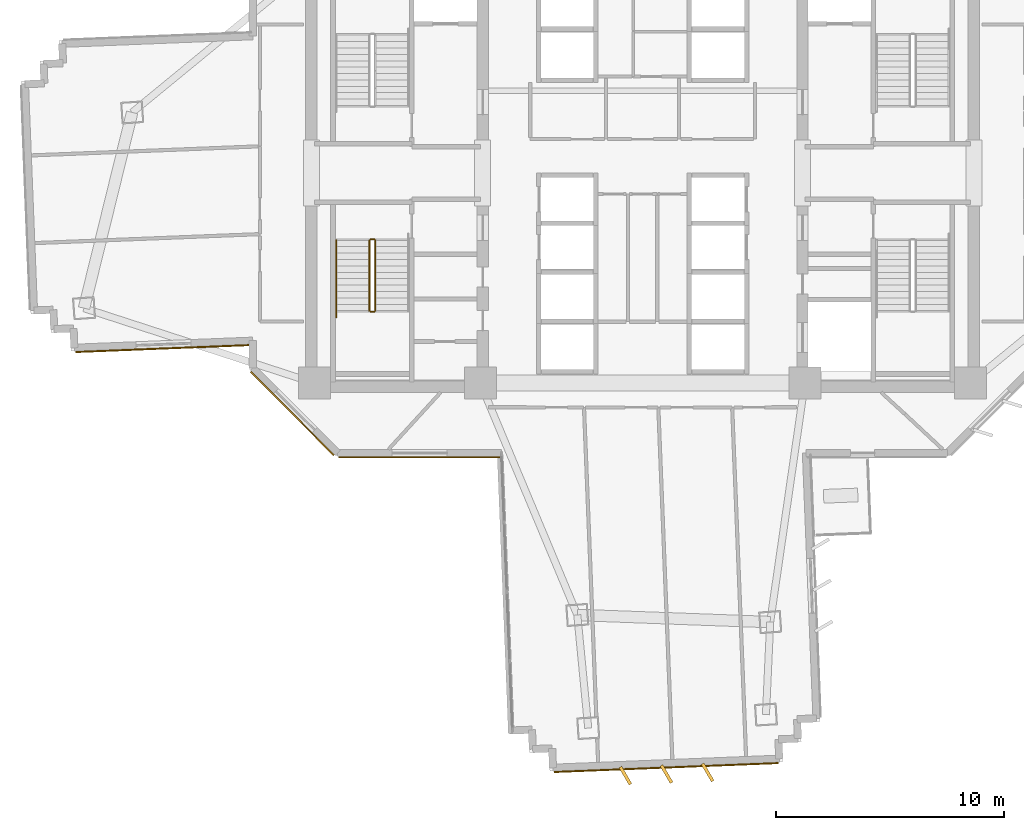
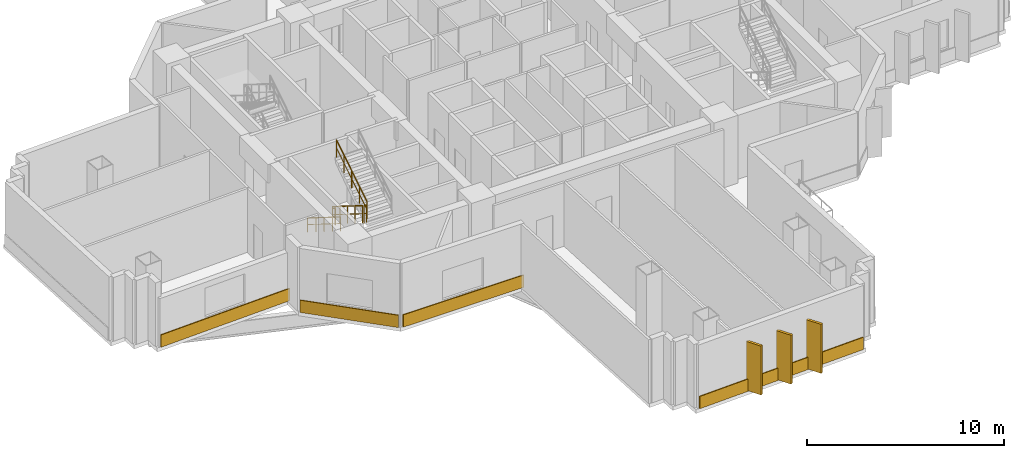
# One storey, part 12 of 16: 7 coverings, 5 railings.
"""IFC4 building model written with IfcOpenShell, lengths in metres."""

from ifc_helpers import new_model, si_unit, direction, frame, origin, origin_2d, place, context, subcontext, project, spatial, rectangle, extrude, source, transform, mapped, material, layer, layer_set, type_object, element, save


model = new_model("IFC4")

# Units and contexts
model_context = context("Model", 3, precision=1e-05, world=origin(), true_north=direction((0.0, 1.0)))
body_context = subcontext(model_context, "Body", "Model", "MODEL_VIEW")
ifc_project = project(units=[si_unit("LENGTHUNIT", "METRE"), si_unit("AREAUNIT", "SQUARE_METRE"), si_unit("VOLUMEUNIT", "CUBIC_METRE"), si_unit("PLANEANGLEUNIT", "RADIAN"), si_unit("MASSUNIT", "GRAM", prefix="KILO")], contexts=[model_context])

# Site, building, storey
site_placement = place(None, origin())
site = spatial("IfcSite", under=ifc_project, at=site_placement, CompositionType="ELEMENT")
building_placement = place(site_placement, origin())
building = spatial("IfcBuilding", under=site, at=building_placement, Name="Zahravan Cultural Tower", CompositionType="ELEMENT")
storey_placement = place(building_placement, frame((0.0, 0.0, 58.5)))
storey = spatial("IfcBuildingStorey", under=building, at=storey_placement, Name="L12", CompositionType="ELEMENT", Elevation=58.5)

# Railings
ifc_material_1 = material(Name="Steel ASTM A572 Grade 50", Category="steel")
railing_type_1 = type_object("IfcRailingType", Name="RL-STAIR-GRD1150", PredefinedType="BALUSTRADE", material=ifc_material_1)
railing_1_placement = place(storey_placement, frame((24.050048828125, 24.050048828125, 0.175048828125)))
element("IfcRailing", 1, at=railing_1_placement, inside=storey, type_object=railing_type_1, Name="L12 ST-W2 stair guard 1", PredefinedType="BALUSTRADE", context=body_context, shape_type="SweptSolid", body=[
    extrude(rectangle(XDim=0.05, YDim=0.05, at=origin_2d()), frame((0.0, 0.0, 1.0751953125), z_axis=(0.0, -0.847998304005, 0.529998940003), x_axis=(1.0, 0.0, 0.0)), (0.0, 0.0, 1.0), 3.632080078125),
    extrude(rectangle(XDim=0.032, YDim=0.032, at=origin_2d()), frame((0.0, 0.0, 0.572021484375), z_axis=(0.0, -0.847998304005, 0.529998940003), x_axis=(1.0, 0.0, 0.0)), (0.0, 0.0, 1.0), 3.632080078125),
    extrude(rectangle(XDim=0.04, YDim=0.04, at=origin_2d()), origin(), (0.0, 0.0, 1.0), 1.10009765625),
    extrude(rectangle(XDim=0.04, YDim=0.04, at=origin_2d()), frame((0.0, -0.77001953125, 0.481201171875)), (0.0, 0.0, 1.0), 1.10009765625),
    extrude(rectangle(XDim=0.04, YDim=0.04, at=origin_2d()), frame((0.0, -1.5400390625, 0.96240234375)), (0.0, 0.0, 1.0), 1.10009765625),
    extrude(rectangle(XDim=0.04, YDim=0.04, at=origin_2d()), frame((0.0, -2.31005859375, 1.44384765625)), (0.0, 0.0, 1.0), 1.10009765625),
    extrude(rectangle(XDim=0.04, YDim=0.04, at=origin_2d()), frame((0.0, -3.080078125, 1.925048828125)), (0.0, 0.0, 1.0), 1.10009765625),
])
railing_2_placement = place(storey_placement, frame((24.10009765625, 20.919921875, 2.10009765625)))
element("IfcRailing", 2, at=railing_2_placement, inside=storey, type_object=railing_type_1, Name="L12 ST-W2 stair guard 2", PredefinedType="BALUSTRADE", context=body_context, shape_type="SweptSolid", body=[
    extrude(rectangle(XDim=0.05, YDim=0.05, at=origin_2d()), frame((0.0, 0.0, 1.0751953125), z_axis=(1.0, 0.0, 0.0), x_axis=(0.0, 1.0, 0.0)), (0.0, 0.0, 1.0), 0.14990234375),
    extrude(rectangle(XDim=0.032, YDim=0.032, at=origin_2d()), frame((0.0, 0.0, 0.572021484375), z_axis=(1.0, 0.0, 0.0), x_axis=(0.0, 1.0, 0.0)), (0.0, 0.0, 1.0), 0.14990234375),
    extrude(rectangle(XDim=0.04, YDim=0.04, at=origin_2d()), origin(), (0.0, 0.0, 1.0), 1.10009765625),
    extrude(rectangle(XDim=0.04, YDim=0.04, at=origin_2d()), frame((0.14990234375, 0.0, 0.0)), (0.0, 0.0, 1.0), 1.10009765625),
])
railing_3_placement = place(storey_placement, frame((24.300048828125, 20.969970703125, 2.27490234375)))
element("IfcRailing", 3, at=railing_3_placement, inside=storey, type_object=railing_type_1, Name="L12 ST-W2 stair guard 3", PredefinedType="BALUSTRADE", context=body_context, shape_type="SweptSolid", body=[
    extrude(rectangle(XDim=0.05, YDim=0.05, at=origin_2d()), frame((0.0, 0.0, 1.0751953125), z_axis=(0.0, 0.847998304005, 0.529998940003), x_axis=(-1.0, 0.0, 0.0)), (0.0, 0.0, 1.0), 3.632080078125),
    extrude(rectangle(XDim=0.032, YDim=0.032, at=origin_2d()), frame((0.0, 0.0, 0.572021484375), z_axis=(0.0, 0.847998304005, 0.529998940003), x_axis=(-1.0, 0.0, 0.0)), (0.0, 0.0, 1.0), 3.632080078125),
    extrude(rectangle(XDim=0.04, YDim=0.04, at=origin_2d()), origin(), (0.0, 0.0, 1.0), 1.10009765625),
    extrude(rectangle(XDim=0.04, YDim=0.04, at=origin_2d()), frame((0.0, 0.77001953125, 0.481201171875)), (0.0, 0.0, 1.0), 1.10009765625),
    extrude(rectangle(XDim=0.04, YDim=0.04, at=origin_2d()), frame((0.0, 1.5400390625, 0.96240234375)), (0.0, 0.0, 1.0), 1.10009765625),
    extrude(rectangle(XDim=0.04, YDim=0.04, at=origin_2d()), frame((0.0, 2.31005859375, 1.44384765625)), (0.0, 0.0, 1.0), 1.10009765625),
    extrude(rectangle(XDim=0.04, YDim=0.04, at=origin_2d()), frame((0.0, 3.080078125, 1.925048828125)), (0.0, 0.0, 1.0), 1.10009765625),
])
railing_4_placement = place(storey_placement, frame((24.10009765625, 24.10009765625, 0.0)))
element("IfcRailing", 4, at=railing_4_placement, inside=storey, type_object=railing_type_1, Name="L12 ST-W2 stair guard 4", PredefinedType="BALUSTRADE", context=body_context, shape_type="SweptSolid", body=[
    extrude(rectangle(XDim=0.05, YDim=0.05, at=origin_2d()), frame((0.0, 0.0, 1.0751953125), z_axis=(1.0, 0.0, 0.0), x_axis=(0.0, 1.0, 0.0)), (0.0, 0.0, 1.0), 0.14990234375),
    extrude(rectangle(XDim=0.032, YDim=0.032, at=origin_2d()), frame((0.0, 0.0, 0.572021484375), z_axis=(1.0, 0.0, 0.0), x_axis=(0.0, 1.0, 0.0)), (0.0, 0.0, 1.0), 0.14990234375),
    extrude(rectangle(XDim=0.04, YDim=0.04, at=origin_2d()), origin(), (0.0, 0.0, 1.0), 1.10009765625),
    extrude(rectangle(XDim=0.04, YDim=0.04, at=origin_2d()), frame((0.14990234375, 0.0, 0.0)), (0.0, 0.0, 1.0), 1.10009765625),
])
railing_type_2 = type_object("IfcRailingType", Name="RL-STAIR-HR900", PredefinedType="HANDRAIL", material=ifc_material_1)
railing_5_placement = place(storey_placement, frame((22.60009765625, 24.050048828125, 0.175048828125)))
element("IfcRailing", 5, at=railing_5_placement, inside=storey, type_object=railing_type_2, Name="L12 ST-W2 stair handrail 1", PredefinedType="HANDRAIL", context=body_context, shape_type="SweptSolid", body=[
    extrude(rectangle(XDim=0.05, YDim=0.05, at=origin_2d()), frame((0.0, 0.0, 0.875), z_axis=(0.0, -0.848022534174, 0.529960169762), x_axis=(1.0, 0.0, 0.0)), (0.0, 0.0, 1.0), 3.96240234375),
    extrude(rectangle(XDim=0.032, YDim=0.032, at=origin_2d()), frame((0.0, 0.0, 0.468017578125), z_axis=(0.0, -0.848022534174, 0.529960169762), x_axis=(1.0, 0.0, 0.0)), (0.0, 0.0, 1.0), 3.96240234375),
    extrude(rectangle(XDim=0.04, YDim=0.04, at=origin_2d()), origin(), (0.0, 0.0, 1.0), 0.89990234375),
    extrude(rectangle(XDim=0.04, YDim=0.04, at=origin_2d()), frame((0.0, -0.840087890625, 0.52490234375)), (0.0, 0.0, 1.0), 0.89990234375),
    extrude(rectangle(XDim=0.04, YDim=0.04, at=origin_2d()), frame((0.0, -1.68017578125, 1.0498046875)), (0.0, 0.0, 1.0), 0.89990234375),
    extrude(rectangle(XDim=0.04, YDim=0.04, at=origin_2d()), frame((0.0, -2.52001953125, 1.574951171875)), (0.0, 0.0, 1.0), 0.89990234375),
    extrude(rectangle(XDim=0.04, YDim=0.04, at=origin_2d()), frame((0.0, -3.360107421875, 2.099853515625)), (0.0, 0.0, 1.0), 0.89990234375),
])

# Coverings
ifc_material_2 = material(Name="Terracotta ceramic cladding", Category="masonry")
ifc_layer = layer(ifc_material_2, 0.06005859375)
ifc_layer_set = layer_set([ifc_layer], Name="Terracotta ceramic cladding")
covering_type = type_object("IfcCoveringType", Name="COV-CLAD-TC60", PredefinedType="CLADDING", material=ifc_layer_set)
shared_shape_1 = source(origin(), body_context, "Body", "SweptSolid", [
    extrude(rectangle(XDim=9.820068359375, YDim=0.06005859375, at=origin_2d()), origin(), (0.0, 0.0, 1.0), 0.760009765625),
])
covering_1_placement = place(storey_placement, frame((37.0361328125, 0.9755859375, 0.02001953125), z_axis=(0.0, 0.0, 1.0), x_axis=(-0.999208342878, -0.039783005453, 0.0)))
element("IfcCovering", 6, at=covering_1_placement, inside=storey, type_object=covering_type, Name="L12 Terracotta Spandrel Cladding 20", PredefinedType="CLADDING", context=body_context, shape_type="MappedRepresentation", body=[
    mapped(shared_shape_1, transform((0.0, 0.0, 0.0), x_axis=(1.0, 0.0, 0.0), y_axis=(0.0, 1.0, 0.0), z_axis=(0.0, 0.0, 1.0), scale=1.0)),
])
shared_shape_2 = source(origin(), body_context, "Body", "SweptSolid", [
    extrude(rectangle(XDim=5.157958984375, YDim=0.06005859375, at=origin_2d()), origin(), (0.0, 0.0, 1.0), 0.760009765625),
])
covering_2_placement = place(storey_placement, frame((20.668212890625, 16.46826171875, 0.02001953125), z_axis=(0.0, 0.0, 1.0), x_axis=(-0.707106781187, 0.707106781187, 0.0)))
element("IfcCovering", 7, at=covering_2_placement, inside=storey, type_object=covering_type, Name="L12 Terracotta Spandrel Cladding 26", PredefinedType="CLADDING", context=body_context, shape_type="MappedRepresentation", body=[
    mapped(shared_shape_2, transform((0.0, 0.0, 0.0), x_axis=(1.0, 0.0, 0.0), y_axis=(0.0, 1.0, 0.0), z_axis=(0.0, 0.0, 1.0), scale=1.0)),
])
shared_shape_3 = source(origin(), body_context, "Body", "SweptSolid", [
    extrude(rectangle(XDim=0.8798828125, YDim=0.139892578125, at=origin_2d()), origin(), (0.0, 0.0, 1.0), 3.030029296875),
])
for number, where, z_axis, x_axis, name in (
    (8, (38.845947265625, 0.762451171875, 0.0498046875), (0.0, 0.0, 1.0), (0.504226211181, -0.863571611366, 0.0), "L12 Herringbone Terracotta Fin 15"),
    (9, (37.04736328125, 0.69091796875, 0.0498046875), (0.0, 0.0, 1.0), (0.504226211181, -0.863571611366, 0.0), "L12 Herringbone Terracotta Fin 16"),
    (10, (35.248779296875, 0.619384765625, 0.0498046875), (0.0, 0.0, 1.0), (0.504226211181, -0.863571611366, 0.0), "L12 Herringbone Terracotta Fin 17"),
):
    element("IfcCovering", number, at=place(storey_placement, frame(where, z_axis=z_axis, x_axis=x_axis)), inside=storey, type_object=covering_type, Name=name, PredefinedType="CLADDING", context=body_context, shape_type="MappedRepresentation", body=[
        mapped(shared_shape_3, transform((0.0, 0.0, 0.0), x_axis=(1.0, 0.0, 0.0), y_axis=(0.0, 1.0, 0.0), z_axis=(0.0, 0.0, 1.0), scale=1.0)),
    ])
shared_shape_4 = source(origin(), body_context, "Body", "SweptSolid", [
    extrude(rectangle(XDim=7.72119140625, YDim=0.06005859375, at=origin_2d()), origin(), (0.0, 0.0, 1.0), 0.760009765625),
])
covering_3_placement = place(storey_placement, frame((15.039794921875, 19.315185546875, 0.02001953125), z_axis=(0.0, 0.0, 1.0), x_axis=(-0.999208342878, -0.039783005453, 0.0)))
element("IfcCovering", 11, at=covering_3_placement, inside=storey, type_object=covering_type, Name="L12 Terracotta Spandrel Cladding 28", PredefinedType="CLADDING", context=body_context, shape_type="MappedRepresentation", body=[
    mapped(shared_shape_4, transform((0.0, 0.0, 0.0), x_axis=(1.0, 0.0, 0.0), y_axis=(0.0, 1.0, 0.0), z_axis=(0.0, 0.0, 1.0), scale=1.0)),
])
shared_shape_5 = source(origin(), body_context, "Body", "SweptSolid", [
    extrude(rectangle(XDim=7.064697265625, YDim=0.06005859375, at=origin_2d()), origin(), (0.0, 0.0, 1.0), 0.760009765625),
])
covering_4_placement = place(storey_placement, frame((26.240478515625, 14.554931640625, 0.02001953125), z_axis=(0.0, 0.0, 1.0), x_axis=(-1.0, 0.0, 0.0)))
element("IfcCovering", 12, at=covering_4_placement, inside=storey, type_object=covering_type, Name="L12 Terracotta Spandrel Cladding 25", PredefinedType="CLADDING", context=body_context, shape_type="MappedRepresentation", body=[
    mapped(shared_shape_5, transform((0.0, 0.0, 0.0), x_axis=(1.0, 0.0, 0.0), y_axis=(0.0, 1.0, 0.0), z_axis=(0.0, 0.0, 1.0), scale=1.0)),
])

save(model, "model.ifc")
